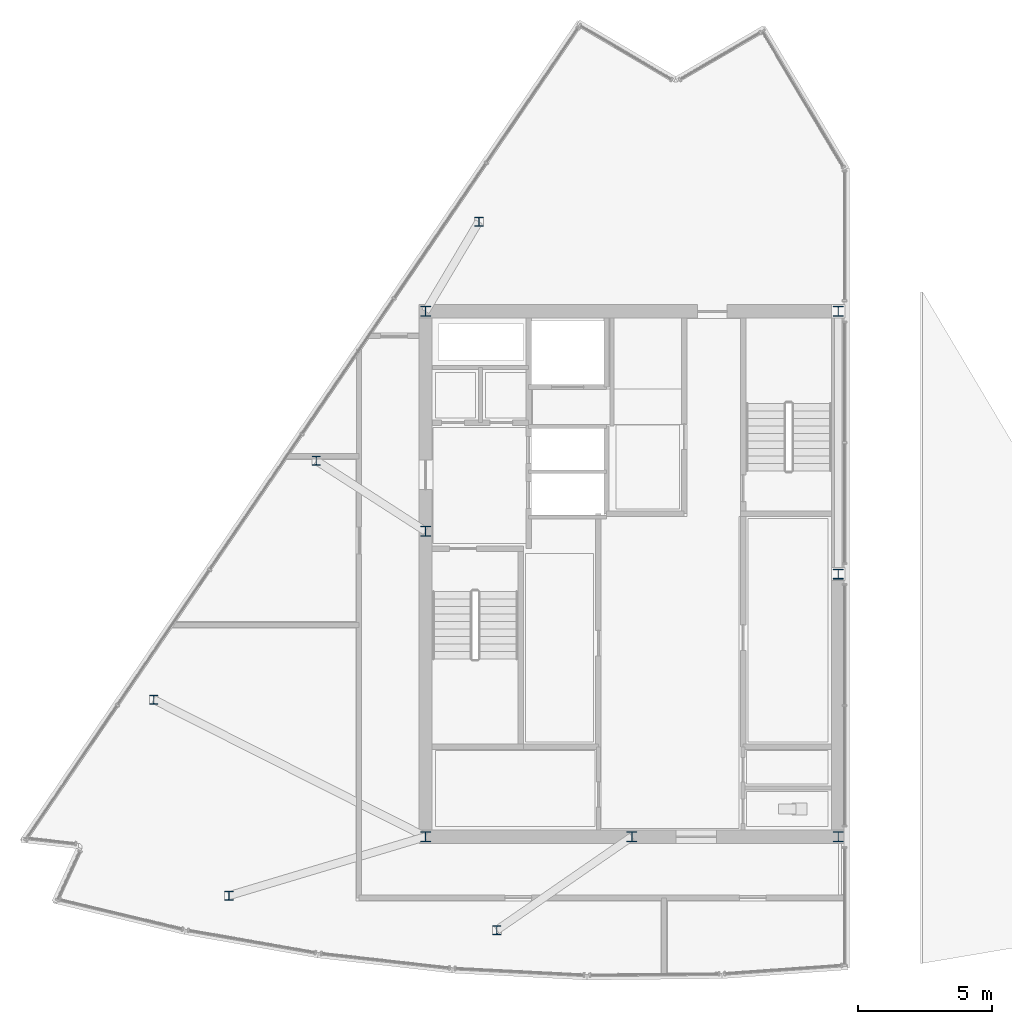
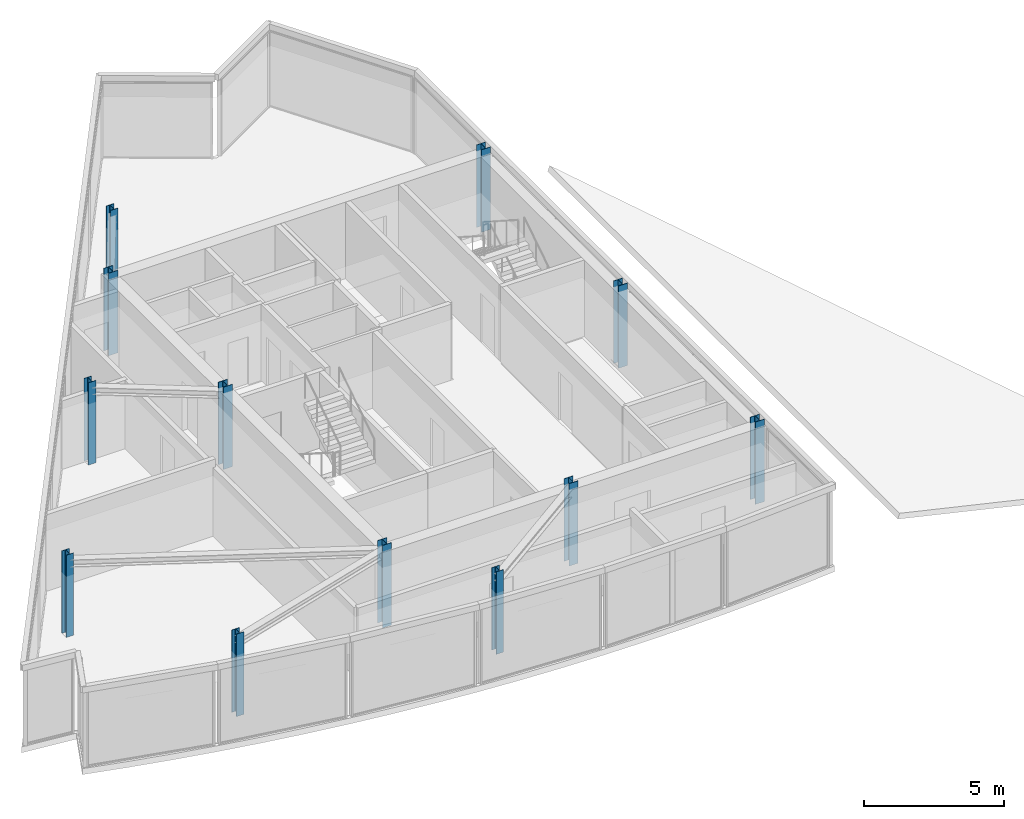
# One storey, part 1 of 10: 12 columns.
"""IFC4 building model written with IfcOpenShell, lengths in metres."""

import ifcopenshell
import ifcopenshell.guid

model = None  # the IFC model being written
_history = None  # IfcOwnerHistory: only IFC2X3 demands one
_inside = {}  # id of a spatial element -> (the spatial element, [elements in it])
_under = {}  # id of a project, library or spatial element -> (it, [spatial elements below it])
_declared = {}  # id of a project -> (the project, [libraries it declares])
_typed = {}  # id of a type object -> (the type object, [elements of that type])
_made_of = {}  # id of a material, layer set ... -> (it, [elements and type objects made of it])


def new_model(schema):
    """Start an empty IFC model of exactly this schema.

    Asked for "IFC4X3", IfcOpenShell would pick the latest addendum, in which some entities
    have other attributes; the version numbers below select the first issue.
    IFC2X3 requires an IfcOwnerHistory on every rooted entity: one is made here for all.
    """
    global model, _history
    if schema == "IFC4X3":
        model = ifcopenshell.file(schema_version=(4, 3, 0, 0))
    else:
        model = ifcopenshell.file(schema=schema)
    _inside.clear()
    _under.clear()
    _declared.clear()
    _typed.clear()
    _made_of.clear()
    _history = None
    if model.schema == "IFC2X3":
        org = make("IfcOrganization", Name="unknown")
        user = make(
            "IfcPersonAndOrganization",
            ThePerson=make("IfcPerson", FamilyName="unknown"),
            TheOrganization=org,
        )
        app = make(
            "IfcApplication",
            ApplicationDeveloper=org,
            Version="unknown",
            ApplicationFullName="unknown",
            ApplicationIdentifier="unknown",
        )
        _history = make(
            "IfcOwnerHistory",
            OwningUser=user,
            OwningApplication=app,
            ChangeAction="ADDED",
            CreationDate=0,
        )
    return model


def make(cls, **values):
    """One entity of the class cls with the attributes given. An attribute that is None is left unset."""
    return model.create_entity(
        cls, **{name: value for name, value in values.items() if value is not None}
    )


def rooted(cls, **values):
    """An entity with a GlobalId (a new one), such as an element, a storey or a relation."""
    return make(cls, GlobalId=ifcopenshell.guid.new(), OwnerHistory=_history, **values)


def si_unit(unit_type, name, prefix=None):
    """IfcSIUnit, for example si_unit("LENGTHUNIT", "METRE", prefix="MILLI")."""
    return make("IfcSIUnit", UnitType=unit_type, Prefix=prefix, Name=name)


def assignment(units):
    """IfcUnitAssignment: the units of a project."""
    return None if units is None else make("IfcUnitAssignment", Units=units)


def point(xyz):
    """IfcCartesianPoint."""
    return None if xyz is None else make("IfcCartesianPoint", Coordinates=xyz)


def direction(xyz):
    """IfcDirection."""
    return None if xyz is None else make("IfcDirection", DirectionRatios=xyz)


def frame(location, z_axis=None, x_axis=None):
    """IfcAxis2Placement3D, a coordinate frame: its origin and axes. An axis left out is left unset."""
    return make(
        "IfcAxis2Placement3D",
        Location=point(location),
        Axis=direction(z_axis),
        RefDirection=direction(x_axis),
    )


def frame_2d(location, x_axis=None):
    """IfcAxis2Placement2D, a coordinate frame in the plane: its origin and x axis."""
    return make(
        "IfcAxis2Placement2D", Location=point(location), RefDirection=direction(x_axis)
    )


def origin():
    """The frame at (0, 0, 0) with its axes left unset."""
    return frame((0.0, 0.0, 0.0))


def origin_2d():
    """The frame at (0, 0) in the plane with its x axis left unset."""
    return frame_2d((0.0, 0.0))


def place(relative_to, where):
    """IfcLocalPlacement: puts the frame where relative to a parent placement (None: the world)."""
    return make(
        "IfcLocalPlacement", PlacementRelTo=relative_to, RelativePlacement=where
    )


def context(
    kind, dimensions, precision=None, world=None, true_north=None, identifier=None
):
    """IfcGeometricRepresentationContext, for example the 3D "Model" context."""
    return make(
        "IfcGeometricRepresentationContext",
        ContextIdentifier=identifier,
        ContextType=kind,
        CoordinateSpaceDimension=dimensions,
        Precision=precision,
        WorldCoordinateSystem=world,
        TrueNorth=true_north,
    )


def subcontext(parent, identifier, kind, view, scale=None):
    """IfcGeometricRepresentationSubContext, for example "Body" below "Model"."""
    return make(
        "IfcGeometricRepresentationSubContext",
        ContextIdentifier=identifier,
        ContextType=kind,
        ParentContext=parent,
        TargetScale=scale,
        TargetView=view,
    )


def project(units=None, contexts=None):
    """IfcProject with its units and contexts."""
    return rooted(
        "IfcProject",
        Name="project",
        RepresentationContexts=contexts,
        UnitsInContext=assignment(units),
    )


def spatial(cls, under=None, at=None, **own):
    """A site, building, storey or space (cls), placed at a placement, below another one or the project."""
    s = rooted(cls, ObjectPlacement=at, **own)
    if under is not None:
        _under.setdefault(under.id(), (under, []))[1].append(s)
    return s


def profile(cls, at=None, kind="AREA", **sizes):
    """A parametric profile (cls). Its sizes go by their IFC names, for example OverallWidth=200.0."""
    return make(cls, ProfileType=kind, Position=at, **sizes)


def i_section(**sizes):
    """IfcIShapeProfileDef."""
    return profile("IfcIShapeProfileDef", **sizes)


def extrude(swept, where, along, depth):
    """IfcExtrudedAreaSolid: the profile swept, set in the frame where, extruded along a direction by depth."""
    return make(
        "IfcExtrudedAreaSolid",
        SweptArea=swept,
        Position=where,
        ExtrudedDirection=direction(along),
        Depth=depth,
    )


def shape(context_of_items, identifier, shape_type, items):
    """IfcShapeRepresentation: the items that make up one representation, for example the "Body"."""
    return make(
        "IfcShapeRepresentation",
        ContextOfItems=context_of_items,
        RepresentationIdentifier=identifier,
        RepresentationType=shape_type,
        Items=items,
    )


def material(Name=None, Category=None):
    """IfcMaterial."""
    return make("IfcMaterial", Name=Name, Category=Category)


def material_profile(
    of_material, cross_section, Name=None, Category=None, Priority=None
):
    """IfcMaterialProfile: a cross section and its material."""
    return make(
        "IfcMaterialProfile",
        Name=Name,
        Material=of_material,
        Profile=cross_section,
        Priority=Priority,
        Category=Category,
    )


def profile_set(profiles, Name=None, composite=None):
    """IfcMaterialProfileSet."""
    return make(
        "IfcMaterialProfileSet",
        Name=Name,
        MaterialProfiles=profiles,
        CompositeProfile=composite,
    )


def made_of(thing, what):
    """Note that an element or type object is made of a material, layer set ...; save() writes the relation."""
    if what is not None:
        _made_of.setdefault(what.id(), (what, []))[1].append(thing)
    return thing


def type_object(cls, material=None, **own):
    """A type object (cls), such as IfcWallType, which elements share."""
    return made_of(rooted(cls, **own), material)


def element(
    cls,
    number,
    at=None,
    inside=None,
    cuts=None,
    type_object=None,
    material=None,
    context=None,
    identifier="Body",
    shape_type=None,
    held_by="IfcProductDefinitionShape",
    body=None,
    shapes=None,
    **own,
):
    """One element of the class cls, such as IfcWall. Its Tag is "e" and its number.

    at: its placement. inside: the storey or other place that contains it. cuts: it is an
    opening in that element (IfcRelVoidsElement). A single representation is given by context,
    identifier, shape_type and body (its items); several are given by shapes. held_by: the class
    of the entity that holds the representations. save() writes the other relations.
    """
    e = rooted(cls, Tag="e%d" % number, ObjectPlacement=at, **own)
    if body is not None:
        shapes = [shape(context, identifier, shape_type, body)]
    if shapes is not None:
        e.Representation = make(held_by, Representations=shapes)
    if inside is not None:
        _inside.setdefault(inside.id(), (inside, []))[1].append(e)
    if cuts is not None:
        rooted(
            "IfcRelVoidsElement", RelatingBuildingElement=cuts, RelatedOpeningElement=e
        )
    if type_object is not None:
        _typed.setdefault(type_object.id(), (type_object, []))[1].append(e)
    return made_of(e, material)


def aggregate(whole, parts):
    """IfcRelAggregates: a whole, such as a stair, and the parts it consists of."""
    return rooted("IfcRelAggregates", RelatingObject=whole, RelatedObjects=parts)


def save(model, path):
    """Write the relations noted so far, then the file.

    IfcRelAggregates (storeys below a building ...), IfcRelContainedInSpatialStructure (elements
    in a storey), IfcRelDefinesByType, IfcRelAssociatesMaterial and IfcRelDeclares: one each for
    every whole, place, type object, material and project.
    """
    for whole, parts in _under.values():
        aggregate(whole, parts)
    for where, things in _inside.values():
        rooted(
            "IfcRelContainedInSpatialStructure",
            RelatedElements=things,
            RelatingStructure=where,
        )
    for kind, things in _typed.values():
        rooted("IfcRelDefinesByType", RelatedObjects=things, RelatingType=kind)
    for what, things in _made_of.values():
        rooted("IfcRelAssociatesMaterial", RelatedObjects=things, RelatingMaterial=what)
    for by, libraries in _declared.values():
        rooted("IfcRelDeclares", RelatingContext=by, RelatedDefinitions=libraries)
    model.write(path)


model = new_model("IFC4")

# Units and contexts
model_context = context("Model", 3, precision=1e-05, world=origin(), true_north=direction((0.0, 1.0)))
body_context = subcontext(model_context, "Body", "Model", "MODEL_VIEW")
ifc_project = project(units=[si_unit("LENGTHUNIT", "METRE"), si_unit("AREAUNIT", "SQUARE_METRE"), si_unit("VOLUMEUNIT", "CUBIC_METRE"), si_unit("PLANEANGLEUNIT", "RADIAN"), si_unit("MASSUNIT", "GRAM", prefix="KILO")], contexts=[model_context])

# Site, building, storey
site_placement = place(None, origin())
site = spatial("IfcSite", under=ifc_project, at=site_placement, CompositionType="ELEMENT")
building_placement = place(site_placement, origin())
building = spatial("IfcBuilding", under=site, at=building_placement, Name="Savorim Split Tower", CompositionType="ELEMENT")
storey_placement = place(building_placement, frame((0.0, 0.0, 315.60009765625)))
storey = spatial("IfcBuildingStorey", under=building, at=storey_placement, Name="Crown L84 Plant", CompositionType="ELEMENT", Elevation=315.60009765625)

# Columns
ifc_material = material(Name="Steel S355", Category="steel")
ifc_material_profile_1 = material_profile(ifc_material, i_section(OverallWidth=0.30908203125, OverallDepth=0.330078125, WebThickness=0.011474609375, FlangeThickness=0.01904296875, FilletRadius=0.027099609375, at=origin_2d()), Name="HD 320x158")
ifc_profile_set_1 = profile_set([ifc_material_profile_1], Name="Steel S355")
column_type_1 = type_object("IfcColumnType", Name="COL-HD-158", PredefinedType="COLUMN", material=ifc_profile_set_1)
for number, where, z_axis, x_axis, name in (
    (1, (-15.037109375, -11.6015625, 0.0), (0.0, 0.0, 1.0), (1.0, 0.0, 0.0), "Crown L84 Plant West Crown Column WC-1"),
    (2, (-5.039794921875, -12.885009765625, 0.0), (0.0, 0.0, 1.0), (1.0, 0.0, 0.0), "Crown L84 Plant West Crown Column WC-2"),
    (3, (-17.84033203125, -4.288818359375, 0.0), (0.0, 0.0, 1.0), (1.0, 0.0, 0.0), "Crown L84 Plant West Crown Column WC-3"),
    (4, (-11.775390625, 4.626708984375, 0.0), (0.0, 0.0, 1.0), (1.0, 0.0, 0.0), "Crown L84 Plant West Crown Column WC-4"),
    (5, (-5.710205078125, 13.542236328125, 0.0), (0.0, 0.0, 1.0), (1.0, 0.0, 0.0), "Crown L84 Plant West Crown Column WC-5"),
):
    element("IfcColumn", number, at=place(storey_placement, frame(where, z_axis=z_axis, x_axis=x_axis)), inside=storey, type_object=column_type_1, Name=name, PredefinedType="COLUMN", context=body_context, shape_type="SweptSolid", body=[
        extrude(i_section(OverallWidth=0.30908203125, OverallDepth=0.330078125, WebThickness=0.011474609375, FlangeThickness=0.01904296875, FilletRadius=0.027099609375, at=origin_2d()), origin(), (0.0, 0.0, 1.0), 3.599853515625),
    ])
ifc_material_profile_2 = material_profile(ifc_material, i_section(OverallWidth=0.3740234375, OverallDepth=0.3720703125, WebThickness=0.01220703125, FlangeThickness=0.02001953125, FilletRadius=0.014892578125, at=origin_2d()), Name="HD 360x196")
ifc_profile_set_2 = profile_set([ifc_material_profile_2], Name="Steel S355")
column_type_2 = type_object("IfcColumnType", Name="COL-HD-196", PredefinedType="COLUMN", material=ifc_profile_set_2)
for number, where, z_axis, x_axis, name in (
    (6, (-7.699951171875, -9.39990234375, 0.0), (0.0, 0.0, 1.0), (1.0, 0.0, 0.0), "Crown L84 Plant Core Structural Column TC-C1"),
    (7, (7.699951171875, -9.39990234375, 0.0), (0.0, 0.0, 1.0), (1.0, 0.0, 0.0), "Crown L84 Plant Core Structural Column TC-C2"),
    (8, (7.699951171875, 10.199951171875, 0.0), (0.0, 0.0, 1.0), (1.0, 0.0, 0.0), "Crown L84 Plant Core Structural Column TC-C3"),
    (9, (-7.699951171875, 10.199951171875, 0.0), (0.0, 0.0, 1.0), (1.0, 0.0, 0.0), "Crown L84 Plant Core Structural Column TC-C4"),
    (10, (0.0, -9.39990234375, 0.0), (0.0, 0.0, 1.0), (1.0, 0.0, 0.0), "Crown L84 Plant Core Structural Column TC-C5"),
    (11, (7.699951171875, 0.39990234375, 0.0), (0.0, 0.0, 1.0), (1.0, 0.0, 0.0), "Crown L84 Plant Core Structural Column TC-C6"),
    (12, (-7.699951171875, 2.0, 0.0), (0.0, 0.0, 1.0), (1.0, 0.0, 0.0), "Crown L84 Plant Core Structural Column TC-C7"),
):
    element("IfcColumn", number, at=place(storey_placement, frame(where, z_axis=z_axis, x_axis=x_axis)), inside=storey, type_object=column_type_2, Name=name, PredefinedType="COLUMN", context=body_context, shape_type="SweptSolid", body=[
        extrude(i_section(OverallWidth=0.3740234375, OverallDepth=0.3720703125, WebThickness=0.01220703125, FlangeThickness=0.02001953125, FilletRadius=0.014892578125, at=origin_2d()), origin(), (0.0, 0.0, 1.0), 3.599853515625),
    ])

save(model, "model.ifc")
